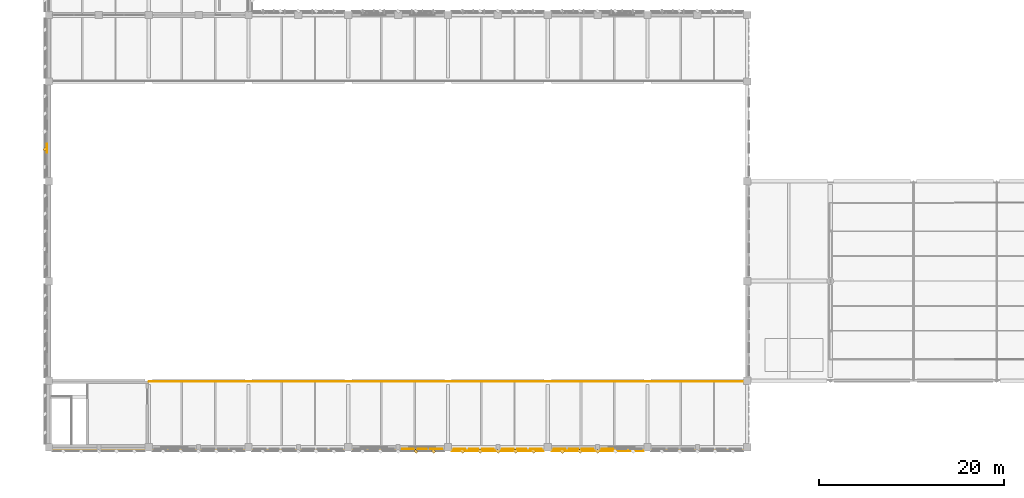
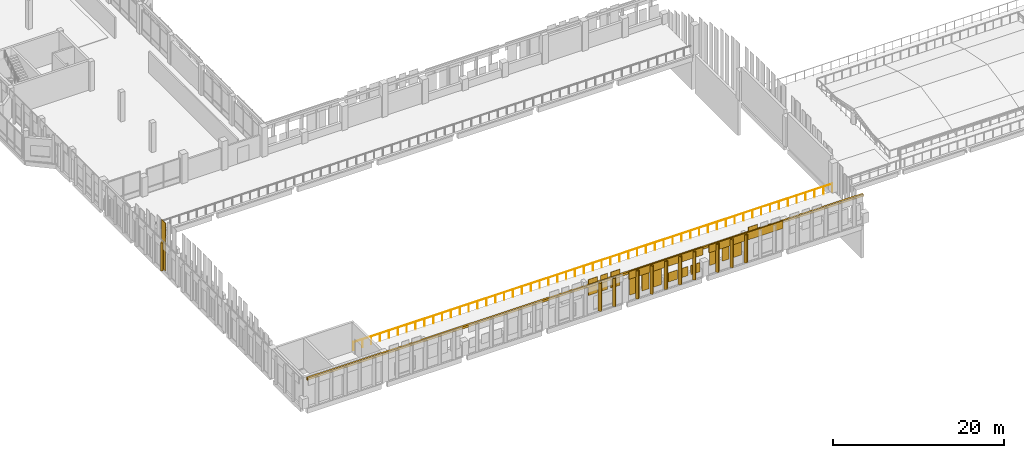
# One storey, part 140 of 158: 28 coverings, 1 railing.
"""IFC4 building model written with IfcOpenShell, lengths in metres."""

from ifc_helpers import new_model, si_unit, direction, frame, origin, origin_2d, place, context, subcontext, project, spatial, rectangle, circle, extrude, material, layer, layer_set, type_object, element, save


model = new_model("IFC4")

# Units and contexts
model_context = context("Model", 3, precision=1e-05, world=origin(), true_north=direction((0.0, 1.0)))
body_context = subcontext(model_context, "Body", "Model", "MODEL_VIEW")
ifc_project = project(units=[si_unit("LENGTHUNIT", "METRE"), si_unit("AREAUNIT", "SQUARE_METRE"), si_unit("VOLUMEUNIT", "CUBIC_METRE"), si_unit("PLANEANGLEUNIT", "RADIAN"), si_unit("MASSUNIT", "GRAM", prefix="KILO")], contexts=[model_context])

# Site, building, storey
site_placement = place(None, origin())
site = spatial("IfcSite", under=ifc_project, at=site_placement, CompositionType="ELEMENT")
building_placement = place(site_placement, origin())
building = spatial("IfcBuilding", under=site, at=building_placement, Name="Lusvemor Sports Hall", CompositionType="ELEMENT")
storey_placement = place(building_placement, frame((0.0, 0.0, 10.800048828125)))
storey = spatial("IfcBuildingStorey", under=building, at=storey_placement, Name="L02", CompositionType="ELEMENT", Elevation=10.800048828125)

# Coverings
ifc_material_1 = material(Name="Precast granite-faced Concrete C40/50 architectural cladding", Category="masonry")
ifc_layer_1 = layer(ifc_material_1, 0.055908203125)
ifc_layer_set_1 = layer_set([ifc_layer_1], Name="Precast granite-faced Concrete C40/50 architectural cladding")
covering_type_1 = type_object("IfcCoveringType", Name="CLAD_RELIEF_FRIEZE", PredefinedType="CLADDING", material=ifc_layer_set_1)
covering_1_placement = place(storey_placement, frame((37.800048828125, -0.219970703125, 3.8798828125), z_axis=(0.0, 0.0, 1.0), x_axis=(1.0, 0.0, 0.0)))
element("IfcCovering", 1, at=covering_1_placement, inside=storey, type_object=covering_type_1, Name="Art Nouveau Sculpted Roofline Cornice 135", PredefinedType="CLADDING", context=body_context, shape_type="SweptSolid", body=[
    extrude(rectangle(XDim=75.0, YDim=0.239990234375, at=origin_2d()), origin(), (0.0, 0.0, 1.0), 0.320068359375),
])
ifc_material_2 = material(Name="Emerald polychrome glazed ceramic cladding on Concrete C40/50 backing", Category="concrete")
ifc_layer_2 = layer(ifc_material_2, 0.0458984375)
ifc_layer_set_2 = layer_set([ifc_layer_2], Name="Emerald polychrome glazed ceramic cladding on Concrete C40/50 backing")
covering_type_2 = type_object("IfcCoveringType", Name="CLAD_WAVE_EMERALD", PredefinedType="CLADDING", material=ifc_layer_set_2)
for number, where, z_axis, x_axis, name in (
    (2, (38.889892578125, -0.1904296875, 2.601318359375), (0.0, 0.0, 1.0), (1.0, 0.0, 0.0), "Art Nouveau Patterned Cladding PS-WAVES-3-2-1"),
    (3, (41.929931640625, -0.1904296875, 2.601318359375), (0.0, 0.0, 1.0), (1.0, 0.0, 0.0), "Art Nouveau Patterned Cladding PS-WAVES-3-2-3"),
):
    element("IfcCovering", number, at=place(storey_placement, frame(where, z_axis=z_axis, x_axis=x_axis)), inside=storey, type_object=covering_type_2, Name=name, PredefinedType="CLADDING", context=body_context, shape_type="SweptSolid", body=[
        extrude(rectangle(XDim=1.246337890625, YDim=0.0458984375, at=origin_2d()), origin(), (0.0, 0.0, 1.0), 2.275390625),
    ])
for number, where, z_axis, x_axis, name in (
    (4, (44.469970703125, -0.1904296875, 0.7236328125), (0.0, 0.0, 1.0), (1.0, 0.0, 0.0), "Art Nouveau Patterned Cladding PS-WAVES-4-1-1"),
    (5, (47.510009765625, -0.1904296875, 0.7236328125), (0.0, 0.0, 1.0), (1.0, 0.0, 0.0), "Art Nouveau Patterned Cladding PS-WAVES-4-1-3"),
):
    element("IfcCovering", number, at=place(storey_placement, frame(where, z_axis=z_axis, x_axis=x_axis)), inside=storey, type_object=covering_type_2, Name=name, PredefinedType="CLADDING", context=body_context, shape_type="SweptSolid", body=[
        extrude(rectangle(XDim=1.246337890625, YDim=0.0458984375, at=origin_2d()), origin(), (0.0, 0.0, 1.0), 2.690185546875),
    ])
for number, where, z_axis, x_axis, name in (
    (6, (49.68994140625, -0.1904296875, 0.746337890625), (0.0, 0.0, 1.0), (1.0, 0.0, 0.0), "Art Nouveau Patterned Cladding PS-WAVES-4-2-1"),
    (7, (52.72998046875, -0.1904296875, 0.746337890625), (0.0, 0.0, 1.0), (1.0, 0.0, 0.0), "Art Nouveau Patterned Cladding PS-WAVES-4-2-3"),
):
    element("IfcCovering", number, at=place(storey_placement, frame(where, z_axis=z_axis, x_axis=x_axis)), inside=storey, type_object=covering_type_2, Name=name, PredefinedType="CLADDING", context=body_context, shape_type="SweptSolid", body=[
        extrude(rectangle(XDim=1.246337890625, YDim=0.0458984375, at=origin_2d()), origin(), (0.0, 0.0, 1.0), 1.3056640625),
    ])
for number, where, z_axis, x_axis, name in (
    (8, (55.27001953125, -0.1904296875, 1.17919921875), (0.0, 0.0, 1.0), (1.0, 0.0, 0.0), "Art Nouveau Patterned Cladding PS-WAVES-5-1-1"),
    (9, (58.31005859375, -0.1904296875, 1.17919921875), (0.0, 0.0, 1.0), (1.0, 0.0, 0.0), "Art Nouveau Patterned Cladding PS-WAVES-5-1-3"),
):
    element("IfcCovering", number, at=place(storey_placement, frame(where, z_axis=z_axis, x_axis=x_axis)), inside=storey, type_object=covering_type_2, Name=name, PredefinedType="CLADDING", context=body_context, shape_type="SweptSolid", body=[
        extrude(rectangle(XDim=1.246337890625, YDim=0.0458984375, at=origin_2d()), origin(), (0.0, 0.0, 1.0), 2.992919921875),
    ])
covering_2_placement = place(storey_placement, frame((60.489990234375, -0.1904296875, 3.27685546875), z_axis=(0.0, 0.0, 1.0), x_axis=(1.0, 0.0, 0.0)))
element("IfcCovering", 10, at=covering_2_placement, inside=storey, type_object=covering_type_2, Name="Art Nouveau Patterned Cladding PS-WAVES-5-2-1", PredefinedType="CLADDING", context=body_context, shape_type="SweptSolid", body=[
    extrude(rectangle(XDim=1.246337890625, YDim=0.0458984375, at=origin_2d()), origin(), (0.0, 0.0, 1.0), 1.507080078125),
])
covering_3_placement = place(storey_placement, frame((-0.1904296875, 32.376220703125, 0.080078125), z_axis=(0.0, 0.0, 1.0), x_axis=(1.0, 0.0, 0.0)))
element("IfcCovering", 11, at=covering_3_placement, inside=storey, type_object=covering_type_2, Name="Art Nouveau Patterned Cladding PS-V1WTY-4-1-1", PredefinedType="CLADDING", context=body_context, shape_type="SweptSolid", body=[
    extrude(rectangle(XDim=0.0458984375, YDim=0.953369140625, at=origin_2d()), origin(), (0.0, 0.0, 1.0), 6.847412109375),
])
for number, where, z_axis, x_axis, name in (
    (12, (39.719970703125, -0.43994140625, 0.099853515625), (0.0, 0.0, 1.0), (0.707106781187, 0.707106781187, 0.0), "Patterned Diamond Cladding Rib 79"),
    (13, (46.679931640625, -0.43994140625, 0.099853515625), (0.0, 0.0, 1.0), (0.707106781187, 0.707106781187, 0.0), "Patterned Diamond Cladding Rib 95"),
    (14, (50.52001953125, -0.43994140625, 0.099853515625), (0.0, 0.0, 1.0), (0.707106781187, 0.707106781187, 0.0), "Patterned Diamond Cladding Rib 97"),
    (15, (57.47998046875, -0.43994140625, 0.099853515625), (0.0, 0.0, 1.0), (0.707106781187, 0.707106781187, 0.0), "Patterned Diamond Cladding Rib 113"),
):
    element("IfcCovering", number, at=place(storey_placement, frame(where, z_axis=z_axis, x_axis=x_axis)), inside=storey, type_object=covering_type_2, Name=name, PredefinedType="CLADDING", context=body_context, shape_type="SweptSolid", body=[
        extrude(rectangle(XDim=0.280029296875, YDim=0.3798828125, at=origin_2d()), origin(), (0.0, 0.0, 1.0), 4.0),
    ])
covering_4_placement = place(storey_placement, frame((-0.43994140625, 32.280029296875, 0.099853515625), z_axis=(0.0, 0.0, 1.0), x_axis=(0.707106781187, 0.707106781187, 0.0)))
element("IfcCovering", 16, at=covering_4_placement, inside=storey, type_object=covering_type_2, Name="Patterned Diamond Cladding Rib 963", PredefinedType="CLADDING", context=body_context, shape_type="SweptSolid", body=[
    extrude(rectangle(XDim=0.3798828125, YDim=0.280029296875, at=origin_2d()), origin(), (0.0, 0.0, 1.0), 4.0),
])
ifc_material_3 = material(Name="Warm terracotta Art Nouveau ceramic cladding on Concrete C40/50 backing", Category="masonry")
ifc_layer_3 = layer(ifc_material_3, 0.0380859375)
ifc_layer_set_3 = layer_set([ifc_layer_3], Name="Warm terracotta Art Nouveau ceramic cladding on Concrete C40/50 backing")
covering_type_3 = type_object("IfcCoveringType", Name="CLAD_WAVE_OCHRE", PredefinedType="CLADDING", material=ifc_layer_set_3)
covering_5_placement = place(storey_placement, frame((40.409912109375, -0.1865234375, 2.601318359375), z_axis=(0.0, 0.0, 1.0), x_axis=(1.0, 0.0, 0.0)))
element("IfcCovering", 17, at=covering_5_placement, inside=storey, type_object=covering_type_3, Name="Art Nouveau Patterned Cladding PS-WAVES-3-2-2", PredefinedType="CLADDING", context=body_context, shape_type="SweptSolid", body=[
    extrude(rectangle(XDim=0.972900390625, YDim=0.0380859375, at=origin_2d()), origin(), (0.0, 0.0, 1.0), 2.275390625),
])
covering_6_placement = place(storey_placement, frame((45.989990234375, -0.1865234375, 0.7236328125), z_axis=(0.0, 0.0, 1.0), x_axis=(1.0, 0.0, 0.0)))
element("IfcCovering", 18, at=covering_6_placement, inside=storey, type_object=covering_type_3, Name="Art Nouveau Patterned Cladding PS-WAVES-4-1-2", PredefinedType="CLADDING", context=body_context, shape_type="SweptSolid", body=[
    extrude(rectangle(XDim=0.972900390625, YDim=0.0380859375, at=origin_2d()), origin(), (0.0, 0.0, 1.0), 2.690185546875),
])
covering_7_placement = place(storey_placement, frame((51.2099609375, -0.1865234375, 0.746337890625), z_axis=(0.0, 0.0, 1.0), x_axis=(1.0, 0.0, 0.0)))
element("IfcCovering", 19, at=covering_7_placement, inside=storey, type_object=covering_type_3, Name="Art Nouveau Patterned Cladding PS-WAVES-4-2-2", PredefinedType="CLADDING", context=body_context, shape_type="SweptSolid", body=[
    extrude(rectangle(XDim=0.972900390625, YDim=0.0380859375, at=origin_2d()), origin(), (0.0, 0.0, 1.0), 1.3056640625),
])
covering_8_placement = place(storey_placement, frame((56.7900390625, -0.1865234375, 1.17919921875), z_axis=(0.0, 0.0, 1.0), x_axis=(1.0, 0.0, 0.0)))
element("IfcCovering", 20, at=covering_8_placement, inside=storey, type_object=covering_type_3, Name="Art Nouveau Patterned Cladding PS-WAVES-5-1-2", PredefinedType="CLADDING", context=body_context, shape_type="SweptSolid", body=[
    extrude(rectangle(XDim=0.972900390625, YDim=0.0380859375, at=origin_2d()), origin(), (0.0, 0.0, 1.0), 2.992919921875),
])
for number, where, z_axis, x_axis, name in (
    (21, (48.60009765625, -0.389892578125, 3.179931640625), (0.0, 0.0, 1.0), (1.0, 0.0, 0.0), "Art Nouveau Spandrel Cornice 93"),
    (22, (59.39990234375, -0.389892578125, 3.179931640625), (0.0, 0.0, 1.0), (1.0, 0.0, 0.0), "Art Nouveau Spandrel Cornice 111"),
):
    element("IfcCovering", number, at=place(storey_placement, frame(where, z_axis=z_axis, x_axis=x_axis)), inside=storey, type_object=covering_type_3, Name=name, PredefinedType="CLADDING", context=body_context, shape_type="SweptSolid", body=[
        extrude(rectangle(XDim=9.97998046875, YDim=0.090087890625, at=origin_2d()), origin(), (0.0, 0.0, 1.0), 1.080078125),
    ])
ifc_material_4 = material(Name="Warm terracotta Art Nouveau ceramic cladding on Concrete C40/50 backing", Category="masonry")
ifc_layer_4 = layer(ifc_material_4, 0.449951171875)
ifc_layer_set_4 = layer_set([ifc_layer_4], Name="Warm terracotta Art Nouveau ceramic cladding on Concrete C40/50 backing")
covering_type_4 = type_object("IfcCoveringType", Name="FIN_BRISE_CER_450", PredefinedType="MOLDING", material=ifc_layer_set_4)
for number, where, z_axis, x_axis, name in (
    (23, (41.639892578125, -0.43994140625, 0.099853515625), (0.0, 0.0, 1.0), (0.707106781187, 0.707106781187, 0.0), "Patterned Diamond Cladding Rib 80"),
    (24, (44.760009765625, -0.43994140625, 0.099853515625), (0.0, 0.0, 1.0), (0.707106781187, 0.707106781187, 0.0), "Patterned Diamond Cladding Rib 94"),
    (25, (48.60009765625, -0.43994140625, 0.099853515625), (0.0, 0.0, 1.0), (0.707106781187, 0.707106781187, 0.0), "Patterned Diamond Cladding Rib 96"),
    (26, (52.43994140625, -0.43994140625, 0.099853515625), (0.0, 0.0, 1.0), (0.707106781187, 0.707106781187, 0.0), "Patterned Diamond Cladding Rib 98"),
    (27, (55.56005859375, -0.43994140625, 0.099853515625), (0.0, 0.0, 1.0), (0.707106781187, 0.707106781187, 0.0), "Patterned Diamond Cladding Rib 112"),
    (28, (59.39990234375, -0.43994140625, 0.099853515625), (0.0, 0.0, 1.0), (0.707106781187, 0.707106781187, 0.0), "Patterned Diamond Cladding Rib 114"),
):
    element("IfcCovering", number, at=place(storey_placement, frame(where, z_axis=z_axis, x_axis=x_axis)), inside=storey, type_object=covering_type_4, Name=name, PredefinedType="MOLDING", context=body_context, shape_type="SweptSolid", body=[
        extrude(rectangle(XDim=0.280029296875, YDim=0.3798828125, at=origin_2d()), origin(), (0.0, 0.0, 1.0), 4.0),
    ])

# Railing
ifc_material_5 = material(Name="Bronze-finished wrought-steel Art Nouveau balustrade", Category="steel")
railing_type = type_object("IfcRailingType", Name="RAIL_ATRIUM_BAL_115", PredefinedType="BALUSTRADE", material=ifc_material_5)
railing_placement = place(storey_placement, frame((10.85009765625, 7.1201171875, 0.0)))
element("IfcRailing", 29, at=railing_placement, inside=storey, type_object=railing_type, Name="Upper Wave-Vault South Gallery Balustrade", PredefinedType="BALUSTRADE", context=body_context, shape_type="SweptSolid", body=[
    extrude(circle(Radius=0.02392578125, at=origin_2d()), frame((0.0, 0.0, 1.1259765625), z_axis=(1.0, 0.0, 0.0), x_axis=(0.0, 1.0, 0.0)), (0.0, 0.0, 1.0), 64.5498046875),
    extrude(circle(Radius=0.02099609375, at=origin_2d()), origin(), (0.0, 0.0, 1.0), 1.101806640625),
    extrude(circle(Radius=0.02099609375, at=origin_2d()), frame((1.1953125, 0.0, 0.0)), (0.0, 0.0, 1.0), 1.101806640625),
    extrude(circle(Radius=0.02099609375, at=origin_2d()), frame((2.390625, 0.0, 0.0)), (0.0, 0.0, 1.0), 1.101806640625),
    extrude(circle(Radius=0.02099609375, at=origin_2d()), frame((3.586181640625, 0.0, 0.0)), (0.0, 0.0, 1.0), 1.101806640625),
    extrude(circle(Radius=0.02099609375, at=origin_2d()), frame((4.781494140625, 0.0, 0.0)), (0.0, 0.0, 1.0), 1.101806640625),
    extrude(circle(Radius=0.02099609375, at=origin_2d()), frame((5.976806640625, 0.0, 0.0)), (0.0, 0.0, 1.0), 1.101806640625),
    extrude(circle(Radius=0.02099609375, at=origin_2d()), frame((7.172119140625, 0.0, 0.0)), (0.0, 0.0, 1.0), 1.101806640625),
    extrude(circle(Radius=0.02099609375, at=origin_2d()), frame((8.36767578125, 0.0, 0.0)), (0.0, 0.0, 1.0), 1.101806640625),
    extrude(circle(Radius=0.02099609375, at=origin_2d()), frame((9.56298828125, 0.0, 0.0)), (0.0, 0.0, 1.0), 1.101806640625),
    extrude(circle(Radius=0.02099609375, at=origin_2d()), frame((10.75830078125, 0.0, 0.0)), (0.0, 0.0, 1.0), 1.101806640625),
    extrude(circle(Radius=0.02099609375, at=origin_2d()), frame((11.95361328125, 0.0, 0.0)), (0.0, 0.0, 1.0), 1.101806640625),
    extrude(circle(Radius=0.02099609375, at=origin_2d()), frame((13.14892578125, 0.0, 0.0)), (0.0, 0.0, 1.0), 1.101806640625),
    extrude(circle(Radius=0.02099609375, at=origin_2d()), frame((14.344482421875, 0.0, 0.0)), (0.0, 0.0, 1.0), 1.101806640625),
    extrude(circle(Radius=0.02099609375, at=origin_2d()), frame((15.539794921875, 0.0, 0.0)), (0.0, 0.0, 1.0), 1.101806640625),
    extrude(circle(Radius=0.02099609375, at=origin_2d()), frame((16.735107421875, 0.0, 0.0)), (0.0, 0.0, 1.0), 1.101806640625),
    extrude(circle(Radius=0.02099609375, at=origin_2d()), frame((17.930419921875, 0.0, 0.0)), (0.0, 0.0, 1.0), 1.101806640625),
    extrude(circle(Radius=0.02099609375, at=origin_2d()), frame((19.1259765625, 0.0, 0.0)), (0.0, 0.0, 1.0), 1.101806640625),
    extrude(circle(Radius=0.02099609375, at=origin_2d()), frame((20.3212890625, 0.0, 0.0)), (0.0, 0.0, 1.0), 1.101806640625),
    extrude(circle(Radius=0.02099609375, at=origin_2d()), frame((21.5166015625, 0.0, 0.0)), (0.0, 0.0, 1.0), 1.101806640625),
    extrude(circle(Radius=0.02099609375, at=origin_2d()), frame((22.7119140625, 0.0, 0.0)), (0.0, 0.0, 1.0), 1.101806640625),
    extrude(circle(Radius=0.02099609375, at=origin_2d()), frame((23.9072265625, 0.0, 0.0)), (0.0, 0.0, 1.0), 1.101806640625),
    extrude(circle(Radius=0.02099609375, at=origin_2d()), frame((25.102783203125, 0.0, 0.0)), (0.0, 0.0, 1.0), 1.101806640625),
    extrude(circle(Radius=0.02099609375, at=origin_2d()), frame((26.298095703125, 0.0, 0.0)), (0.0, 0.0, 1.0), 1.101806640625),
    extrude(circle(Radius=0.02099609375, at=origin_2d()), frame((27.493408203125, 0.0, 0.0)), (0.0, 0.0, 1.0), 1.101806640625),
    extrude(circle(Radius=0.02099609375, at=origin_2d()), frame((28.688720703125, 0.0, 0.0)), (0.0, 0.0, 1.0), 1.101806640625),
    extrude(circle(Radius=0.02099609375, at=origin_2d()), frame((29.88427734375, 0.0, 0.0)), (0.0, 0.0, 1.0), 1.101806640625),
    extrude(circle(Radius=0.02099609375, at=origin_2d()), frame((31.07958984375, 0.0, 0.0)), (0.0, 0.0, 1.0), 1.101806640625),
    extrude(circle(Radius=0.02099609375, at=origin_2d()), frame((32.27490234375, 0.0, 0.0)), (0.0, 0.0, 1.0), 1.101806640625),
    extrude(circle(Radius=0.02099609375, at=origin_2d()), frame((33.47021484375, 0.0, 0.0)), (0.0, 0.0, 1.0), 1.101806640625),
    extrude(circle(Radius=0.02099609375, at=origin_2d()), frame((34.66552734375, 0.0, 0.0)), (0.0, 0.0, 1.0), 1.101806640625),
    extrude(circle(Radius=0.02099609375, at=origin_2d()), frame((35.861083984375, 0.0, 0.0)), (0.0, 0.0, 1.0), 1.101806640625),
    extrude(circle(Radius=0.02099609375, at=origin_2d()), frame((37.056396484375, 0.0, 0.0)), (0.0, 0.0, 1.0), 1.101806640625),
    extrude(circle(Radius=0.02099609375, at=origin_2d()), frame((38.251708984375, 0.0, 0.0)), (0.0, 0.0, 1.0), 1.101806640625),
    extrude(circle(Radius=0.02099609375, at=origin_2d()), frame((39.447021484375, 0.0, 0.0)), (0.0, 0.0, 1.0), 1.101806640625),
    extrude(circle(Radius=0.02099609375, at=origin_2d()), frame((40.642578125, 0.0, 0.0)), (0.0, 0.0, 1.0), 1.101806640625),
    extrude(circle(Radius=0.02099609375, at=origin_2d()), frame((41.837890625, 0.0, 0.0)), (0.0, 0.0, 1.0), 1.101806640625),
    extrude(circle(Radius=0.02099609375, at=origin_2d()), frame((43.033203125, 0.0, 0.0)), (0.0, 0.0, 1.0), 1.101806640625),
    extrude(circle(Radius=0.02099609375, at=origin_2d()), frame((44.228515625, 0.0, 0.0)), (0.0, 0.0, 1.0), 1.101806640625),
    extrude(circle(Radius=0.02099609375, at=origin_2d()), frame((45.423828125, 0.0, 0.0)), (0.0, 0.0, 1.0), 1.101806640625),
    extrude(circle(Radius=0.02099609375, at=origin_2d()), frame((46.619384765625, 0.0, 0.0)), (0.0, 0.0, 1.0), 1.101806640625),
    extrude(circle(Radius=0.02099609375, at=origin_2d()), frame((47.814697265625, 0.0, 0.0)), (0.0, 0.0, 1.0), 1.101806640625),
    extrude(circle(Radius=0.02099609375, at=origin_2d()), frame((49.010009765625, 0.0, 0.0)), (0.0, 0.0, 1.0), 1.101806640625),
    extrude(circle(Radius=0.02099609375, at=origin_2d()), frame((50.205322265625, 0.0, 0.0)), (0.0, 0.0, 1.0), 1.101806640625),
    extrude(circle(Radius=0.02099609375, at=origin_2d()), frame((51.40087890625, 0.0, 0.0)), (0.0, 0.0, 1.0), 1.101806640625),
    extrude(circle(Radius=0.02099609375, at=origin_2d()), frame((52.59619140625, 0.0, 0.0)), (0.0, 0.0, 1.0), 1.101806640625),
    extrude(circle(Radius=0.02099609375, at=origin_2d()), frame((53.79150390625, 0.0, 0.0)), (0.0, 0.0, 1.0), 1.101806640625),
    extrude(circle(Radius=0.02099609375, at=origin_2d()), frame((54.98681640625, 0.0, 0.0)), (0.0, 0.0, 1.0), 1.101806640625),
    extrude(circle(Radius=0.02099609375, at=origin_2d()), frame((56.18212890625, 0.0, 0.0)), (0.0, 0.0, 1.0), 1.101806640625),
    extrude(circle(Radius=0.02099609375, at=origin_2d()), frame((57.377685546875, 0.0, 0.0)), (0.0, 0.0, 1.0), 1.101806640625),
    extrude(circle(Radius=0.02099609375, at=origin_2d()), frame((58.572998046875, 0.0, 0.0)), (0.0, 0.0, 1.0), 1.101806640625),
    extrude(circle(Radius=0.02099609375, at=origin_2d()), frame((59.768310546875, 0.0, 0.0)), (0.0, 0.0, 1.0), 1.101806640625),
    extrude(circle(Radius=0.02099609375, at=origin_2d()), frame((60.963623046875, 0.0, 0.0)), (0.0, 0.0, 1.0), 1.101806640625),
    extrude(circle(Radius=0.02099609375, at=origin_2d()), frame((62.1591796875, 0.0, 0.0)), (0.0, 0.0, 1.0), 1.101806640625),
    extrude(circle(Radius=0.02099609375, at=origin_2d()), frame((63.3544921875, 0.0, 0.0)), (0.0, 0.0, 1.0), 1.101806640625),
    extrude(circle(Radius=0.02099609375, at=origin_2d()), frame((64.5498046875, 0.0, 0.0)), (0.0, 0.0, 1.0), 1.101806640625),
])

save(model, "model.ifc")
